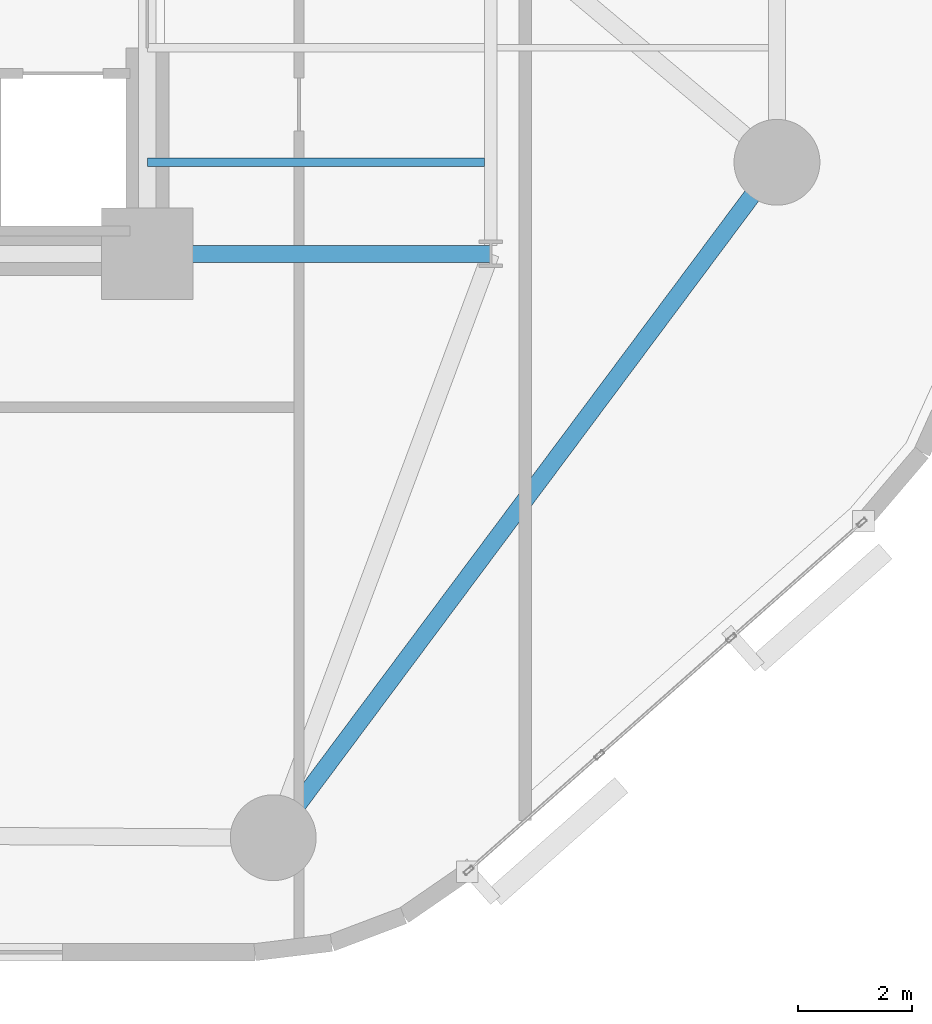
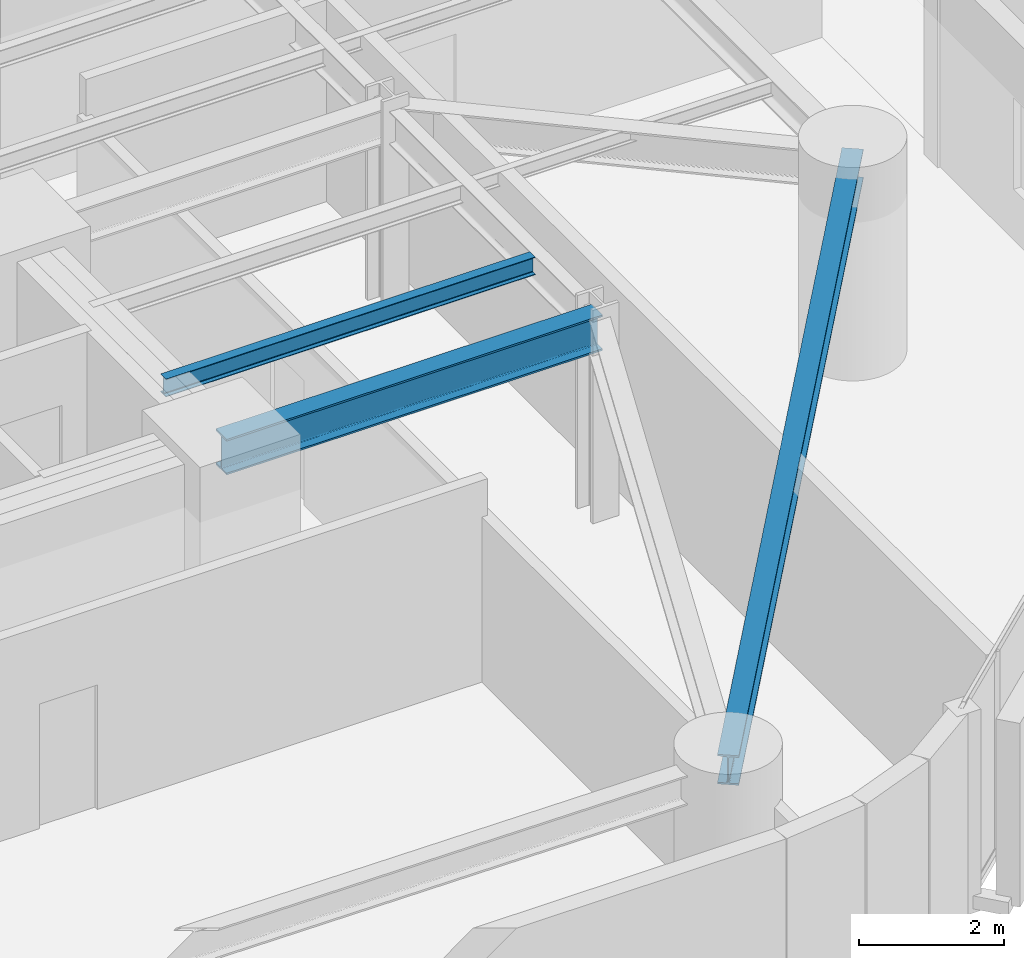
# One storey, part 3 of 17: 3 beams.
"""IFC4 building model written with IfcOpenShell, lengths in metres."""

from ifc_helpers import new_model, si_unit, direction, frame, origin, origin_2d, place, context, subcontext, project, spatial, i_section, extrude, material, material_profile, profile_set, type_object, element, save


model = new_model("IFC4")

# Units and contexts
model_context = context("Model", 3, precision=1e-05, world=origin(), true_north=direction((0.0, 1.0)))
body_context = subcontext(model_context, "Body", "Model", "MODEL_VIEW")
ifc_project = project(units=[si_unit("LENGTHUNIT", "METRE"), si_unit("AREAUNIT", "SQUARE_METRE"), si_unit("VOLUMEUNIT", "CUBIC_METRE"), si_unit("PLANEANGLEUNIT", "RADIAN"), si_unit("MASSUNIT", "GRAM", prefix="KILO")], contexts=[model_context])

# Site, building, storey
site_placement = place(None, origin())
site = spatial("IfcSite", under=ifc_project, at=site_placement, CompositionType="ELEMENT")
building_placement = place(site_placement, origin())
building = spatial("IfcBuilding", under=site, at=building_placement, Name="An Khanh Terracotta Commons", CompositionType="ELEMENT")
storey_placement = place(building_placement, frame((0.0, 0.0, 36.0)))
storey = spatial("IfcBuildingStorey", under=building, at=storey_placement, Name="L09", CompositionType="ELEMENT", Elevation=36.0)

# Beams
ifc_material = material(Name="Steel S355J2", Category="steel")
ifc_material_profile_1 = material_profile(ifc_material, i_section(OverallWidth=0.300048828125, OverallDepth=0.5, WebThickness=0.014404296875, FlangeThickness=0.028076171875, FilletRadius=0.027099609375, at=origin_2d()), Name="HEB500")
ifc_profile_set_1 = profile_set([ifc_material_profile_1], Name="Steel S355J2")
beam_type_1 = type_object("IfcBeamType", Name="BM-HEB500", PredefinedType="BEAM", material=ifc_profile_set_1)
beam_1_placement = place(storey_placement, frame((39.39990234375, 4.199951171875, 3.14990234375), z_axis=(0.59782442166, 0.801627070942, 0.0), x_axis=(-0.801627070942, 0.59782442166, 0.0)))
element("IfcBeam", 1, at=beam_1_placement, inside=storey, type_object=beam_type_1, Name="L09 Perimeter Ring Spandrel 2", PredefinedType="BEAM", context=body_context, shape_type="SweptSolid", body=[
    extrude(i_section(OverallWidth=0.300048828125, OverallDepth=0.5, WebThickness=0.014404296875, FlangeThickness=0.028076171875, FilletRadius=0.027099609375, at=origin_2d()), origin(), (0.0, 0.0, 1.0), 14.72021484375),
])
ifc_material_profile_2 = material_profile(ifc_material, i_section(OverallWidth=0.300048828125, OverallDepth=0.60009765625, WebThickness=0.015380859375, FlangeThickness=0.030029296875, FilletRadius=0.027099609375, at=origin_2d()), Name="HEB600")
ifc_profile_set_2 = profile_set([ifc_material_profile_2], Name="Steel S355J2")
beam_type_2 = type_object("IfcBeamType", Name="BM-HEB600", PredefinedType="BEAM", material=ifc_profile_set_2)
beam_2_placement = place(storey_placement, frame((37.199951171875, 14.39990234375, 3.10009765625), z_axis=(1.0, 0.0, 0.0), x_axis=(0.0, 1.0, 0.0)))
element("IfcBeam", 2, at=beam_2_placement, inside=storey, type_object=beam_type_2, Name="L09 East Primary Floor Girder 1", PredefinedType="BEAM", context=body_context, shape_type="SweptSolid", body=[
    extrude(i_section(OverallWidth=0.300048828125, OverallDepth=0.60009765625, WebThickness=0.015380859375, FlangeThickness=0.030029296875, FilletRadius=0.027099609375, at=origin_2d()), origin(), (0.0, 0.0, 1.0), 6.0),
])
ifc_material_profile_3 = material_profile(ifc_material, i_section(OverallWidth=0.14990234375, OverallDepth=0.300048828125, WebThickness=0.007080078125, FlangeThickness=0.0107421875, FilletRadius=0.014892578125, at=origin_2d()), Name="IPE300")
ifc_profile_set_3 = profile_set([ifc_material_profile_3], Name="Steel S355J2")
beam_type_3 = type_object("IfcBeamType", Name="BM-IPE300", PredefinedType="JOIST", material=ifc_profile_set_3)
beam_3_placement = place(storey_placement, frame((37.199951171875, 16.0, 3.25), z_axis=(1.0, 0.0, 0.0), x_axis=(0.0, 1.0, 0.0)))
element("IfcBeam", 3, at=beam_3_placement, inside=storey, type_object=beam_type_3, Name="L09 Inboard Composite Joist 1", PredefinedType="JOIST", context=body_context, shape_type="SweptSolid", body=[
    extrude(i_section(OverallWidth=0.14990234375, OverallDepth=0.300048828125, WebThickness=0.007080078125, FlangeThickness=0.0107421875, FilletRadius=0.014892578125, at=origin_2d()), origin(), (0.0, 0.0, 1.0), 5.89501953125),
])

save(model, "model.ifc")
